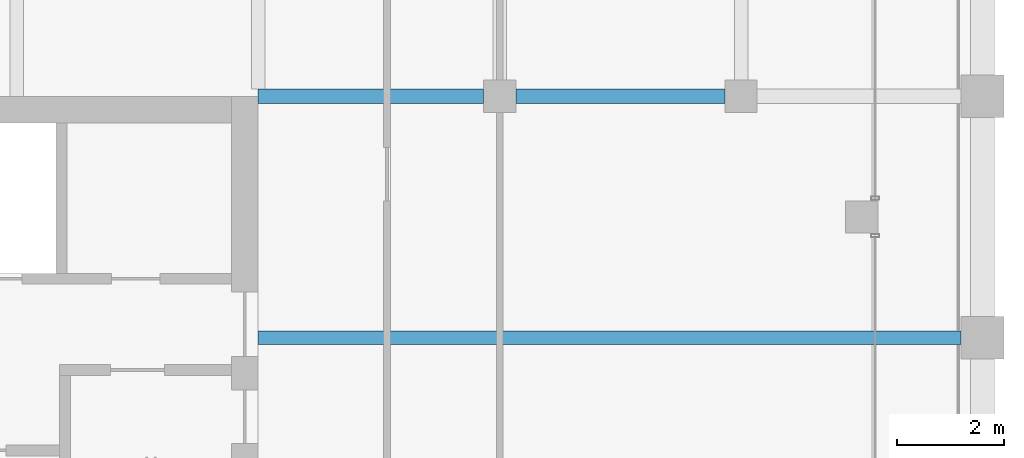
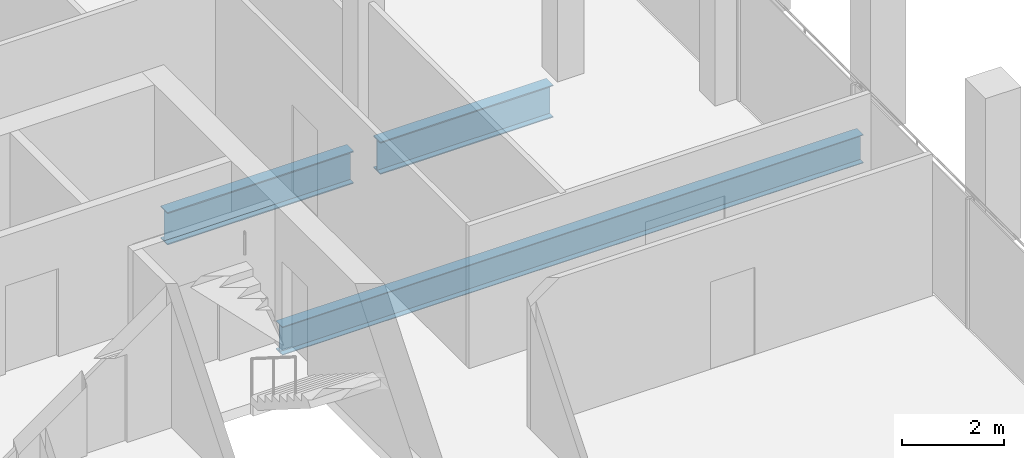
# One storey, part 18 of 30: 3 beams.
"""IFC4 building model written with IfcOpenShell, lengths in metres."""

from ifc_helpers import new_model, si_unit, direction, frame, origin, origin_2d, place, context, subcontext, project, spatial, i_section, extrude, material, material_profile, profile_set, type_object, element, save


model = new_model("IFC4")

# Units and contexts
model_context = context("Model", 3, precision=1e-05, world=origin(), true_north=direction((0.0, 1.0)))
body_context = subcontext(model_context, "Body", "Model", "MODEL_VIEW")
ifc_project = project(units=[si_unit("LENGTHUNIT", "METRE"), si_unit("AREAUNIT", "SQUARE_METRE"), si_unit("VOLUMEUNIT", "CUBIC_METRE"), si_unit("PLANEANGLEUNIT", "RADIAN"), si_unit("MASSUNIT", "GRAM", prefix="KILO")], contexts=[model_context])

# Site, building, storey
site_placement = place(None, origin())
site = spatial("IfcSite", under=ifc_project, at=site_placement, CompositionType="ELEMENT")
building_placement = place(site_placement, origin())
building = spatial("IfcBuilding", under=site, at=building_placement, Name="Altepetl Exchange Towers", CompositionType="ELEMENT")
storey_placement = place(building_placement, frame((0.0, 0.0, 242.39990234375)))
storey = spatial("IfcBuildingStorey", under=building, at=storey_placement, Name="L62", CompositionType="ELEMENT", Elevation=242.39990234375)

# Beams
ifc_material = material(Name="Steel S355", Category="steel")
ifc_material_profile_1 = material_profile(ifc_material, i_section(OverallWidth=0.2529296875, OverallDepth=0.677978515625, WebThickness=0.01171875, FlangeThickness=0.016357421875, at=origin_2d()), Name="W27X84")
ifc_profile_set_1 = profile_set([ifc_material_profile_1], Name="Steel S355")
beam_type_1 = type_object("IfcBeamType", Name="Floor beam W27X84", PredefinedType="BEAM", material=ifc_profile_set_1)
beam_1_placement = place(storey_placement, frame((58.5, 54.0, -0.489013671875), z_axis=(1.0, 0.0, 0.0), x_axis=(0.0, 1.0, 0.0)))
element("IfcBeam", 1, at=beam_1_placement, inside=storey, type_object=beam_type_1, Name="bm:A:L62:011", PredefinedType="BEAM", context=body_context, shape_type="SweptSolid", body=[
    extrude(i_section(OverallWidth=0.2529296875, OverallDepth=0.677978515625, WebThickness=0.01171875, FlangeThickness=0.016357421875, at=origin_2d()), origin(), (0.0, 0.0, 1.0), 13.10009765625),
])
ifc_material_profile_2 = material_profile(ifc_material, i_section(OverallWidth=0.26806640625, OverallDepth=0.77392578125, WebThickness=0.015380859375, FlangeThickness=0.025390625, at=origin_2d()), Name="W30X132")
ifc_profile_set_2 = profile_set([ifc_material_profile_2], Name="Steel S355")
beam_type_2 = type_object("IfcBeamType", Name="Girder W30X132", PredefinedType="BEAM", material=ifc_profile_set_2)
beam_2_placement = place(storey_placement, frame((58.5, 58.5, -0.536865234375), z_axis=(1.0, 0.0, 0.0), x_axis=(0.0, 1.0, 0.0)))
element("IfcBeam", 2, at=beam_2_placement, inside=storey, type_object=beam_type_2, Name="gd:A:L62:000", PredefinedType="BEAM", context=body_context, shape_type="SweptSolid", body=[
    extrude(i_section(OverallWidth=0.26806640625, OverallDepth=0.77392578125, WebThickness=0.015380859375, FlangeThickness=0.025390625, at=origin_2d()), origin(), (0.0, 0.0, 1.0), 4.199951171875),
])
beam_3_placement = place(storey_placement, frame((63.300048828125, 58.5, -0.536865234375), z_axis=(1.0, 0.0, 0.0), x_axis=(0.0, 1.0, 0.0)))
element("IfcBeam", 3, at=beam_3_placement, inside=storey, type_object=beam_type_2, Name="gd:A:L62:001", PredefinedType="BEAM", context=body_context, shape_type="SweptSolid", body=[
    extrude(i_section(OverallWidth=0.26806640625, OverallDepth=0.77392578125, WebThickness=0.015380859375, FlangeThickness=0.025390625, at=origin_2d()), origin(), (0.0, 0.0, 1.0), 3.89990234375),
])

save(model, "model.ifc")
